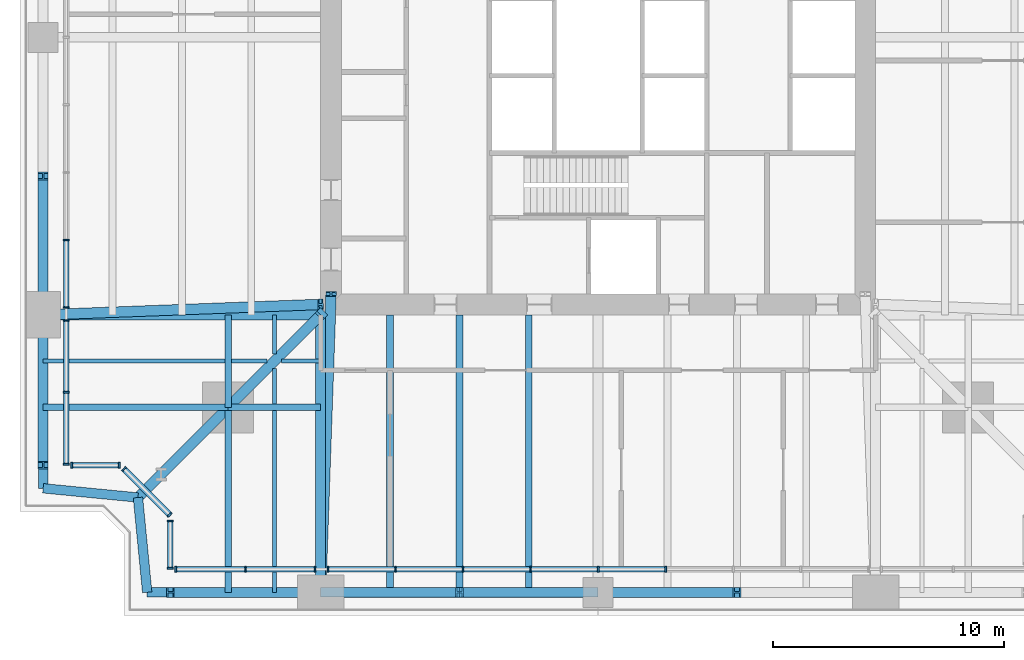
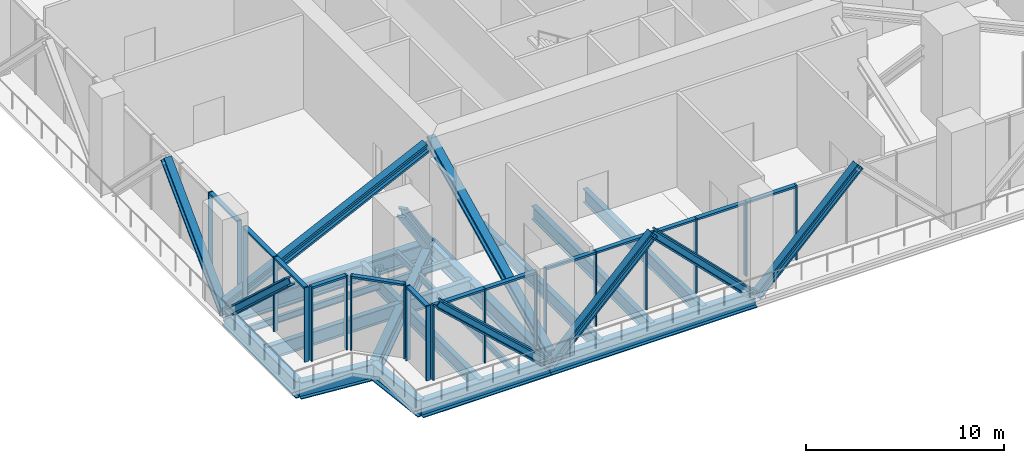
# One storey, part 2 of 14: 42 members, 22 beams, 7 elements without a shape of their own.
"""IFC4 building model written with IfcOpenShell, lengths in metres."""

from ifc_helpers import new_model, si_unit, direction, frame, origin, origin_2d, place, context, subcontext, project, spatial, rectangle, i_section, extrude, material, material_profile, profile_set, type_object, element, aggregate, save


model = new_model("IFC4")

# Units and contexts
model_context = context("Model", 3, precision=1e-05, world=origin(), true_north=direction((0.0, 1.0)))
body_context = subcontext(model_context, "Body", "Model", "MODEL_VIEW")
ifc_project = project(units=[si_unit("LENGTHUNIT", "METRE"), si_unit("AREAUNIT", "SQUARE_METRE"), si_unit("VOLUMEUNIT", "CUBIC_METRE"), si_unit("PLANEANGLEUNIT", "RADIAN"), si_unit("MASSUNIT", "GRAM", prefix="KILO")], contexts=[model_context])

# Site, building, storey
site_placement = place(None, origin())
site = spatial("IfcSite", under=ifc_project, at=site_placement, CompositionType="ELEMENT")
building_placement = place(site_placement, origin())
building = spatial("IfcBuilding", under=site, at=building_placement, Name="Fenwick Lantern Interchange", CompositionType="ELEMENT")
storey_placement = place(building_placement, frame((0.0, 0.0, 162.39990234375)))
storey = spatial("IfcBuildingStorey", under=building, at=storey_placement, Name="L38", CompositionType="ELEMENT", Elevation=162.39990234375)

# Members
ifc_material_1 = material(Name="Steel ASTM A992 Grade 50", Category="steel")
ifc_material_profile_1 = material_profile(ifc_material_1, i_section(OverallWidth=0.431884765625, OverallDepth=0.497802734375, WebThickness=0.0556640625, FlangeThickness=0.0888671875, at=origin_2d()), Name="W14X500")
ifc_profile_set_1 = profile_set([ifc_material_profile_1], Name="Steel ASTM A992 Grade 50")
member_type_1 = type_object("IfcMemberType", Name="BELT TRUSS DIAGONAL W14X500", PredefinedType="BRACE", material=ifc_profile_set_1)
member_1_placement = place(storey_placement, frame((13.0, 1.0, -0.64990234375), z_axis=(-0.734803444627, 0.0, 0.678280102733), x_axis=(0.0, -1.0, 0.0)))
element("IfcMember", 1, at=member_1_placement, inside=storey, type_object=member_type_1, Name="L38/BT/S/D1", PredefinedType="BRACE", context=body_context, shape_type="SweptSolid", body=[
    extrude(i_section(OverallWidth=0.431884765625, OverallDepth=0.497802734375, WebThickness=0.0556640625, FlangeThickness=0.0888671875, at=origin_2d()), origin(), (0.0, 0.0, 1.0), 8.845947265625),
])
for number, where, z_axis, x_axis, name in (
    (2, (13.0, 1.0, -0.64990234375), (0.707106781187, 0.0, 0.707106781187), (0.0, 1.0, 0.0), "L38/BT/S/D2"),
    (3, (25.0, 1.0, -0.64990234375), (-0.707106781187, 0.0, 0.707106781187), (0.0, -1.0, 0.0), "L38/BT/S/D3"),
    (4, (25.0, 1.0, -0.64990234375), (0.707106781187, 0.0, 0.707106781187), (0.0, 1.0, 0.0), "L38/BT/S/D4"),
    (5, (1.0, 13.0, -0.64990234375), (0.0, 0.707106781187, 0.707106781187), (-1.0, 0.0, 0.0), "L38/BT/W/D5"),
):
    element("IfcMember", number, at=place(storey_placement, frame(where, z_axis=z_axis, x_axis=x_axis)), inside=storey, type_object=member_type_1, Name=name, PredefinedType="BRACE", context=body_context, shape_type="SweptSolid", body=[
        extrude(i_section(OverallWidth=0.431884765625, OverallDepth=0.497802734375, WebThickness=0.0556640625, FlangeThickness=0.0888671875, at=origin_2d()), origin(), (0.0, 0.0, 1.0), 8.4853515625),
    ])
member_2_placement = place(storey_placement, frame((1.0, 13.0, -0.64990234375), z_axis=(0.0, -0.734803444627, 0.678280102733), x_axis=(1.0, 0.0, 0.0)))
element("IfcMember", 6, at=member_2_placement, inside=storey, type_object=member_type_1, Name="L38/BT/W/D6", PredefinedType="BRACE", context=body_context, shape_type="SweptSolid", body=[
    extrude(i_section(OverallWidth=0.431884765625, OverallDepth=0.497802734375, WebThickness=0.0556640625, FlangeThickness=0.0888671875, at=origin_2d()), origin(), (0.0, 0.0, 1.0), 8.845947265625),
])

# Beams
ifc_material_profile_2 = material_profile(ifc_material_1, i_section(OverallWidth=0.408935546875, OverallDepth=1.04150390625, WebThickness=0.031005859375, FlangeThickness=0.055908203125, at=origin_2d()), Name="W40X397")
ifc_profile_set_2 = profile_set([ifc_material_profile_2], Name="Steel ASTM A992 Grade 50")
beam_type_1 = type_object("IfcBeamType", Name="EDGE BEAM W40X397", PredefinedType="SPANDREL", material=ifc_profile_set_2)
beam_1_placement = place(storey_placement, frame((5.5, 1.0, -0.720703125), z_axis=(1.0, 0.0, 0.0), x_axis=(0.0, 1.0, 0.0)))
element("IfcBeam", 7, at=beam_1_placement, inside=storey, type_object=beam_type_1, Name="L38/FR/S/EB1", PredefinedType="SPANDREL", context=body_context, shape_type="SweptSolid", body=[
    extrude(i_section(OverallWidth=0.408935546875, OverallDepth=1.04150390625, WebThickness=0.031005859375, FlangeThickness=0.055908203125, at=origin_2d()), origin(), (0.0, 0.0, 1.0), 7.5),
])
beam_2_placement = place(storey_placement, frame((13.0, 1.0, -0.720703125), z_axis=(1.0, 0.0, 0.0), x_axis=(0.0, 1.0, 0.0)))
element("IfcBeam", 8, at=beam_2_placement, inside=storey, type_object=beam_type_1, Name="L38/FR/S/EB2", PredefinedType="SPANDREL", context=body_context, shape_type="SweptSolid", body=[
    extrude(i_section(OverallWidth=0.408935546875, OverallDepth=1.04150390625, WebThickness=0.031005859375, FlangeThickness=0.055908203125, at=origin_2d()), origin(), (0.0, 0.0, 1.0), 12.0),
])
beam_3_placement = place(storey_placement, frame((1.0, 13.0, -0.720703125), z_axis=(0.0, -1.0, 0.0), x_axis=(1.0, 0.0, 0.0)))
element("IfcBeam", 9, at=beam_3_placement, inside=storey, type_object=beam_type_1, Name="L38/FR/W/EB4", PredefinedType="SPANDREL", context=body_context, shape_type="SweptSolid", body=[
    extrude(i_section(OverallWidth=0.408935546875, OverallDepth=1.04150390625, WebThickness=0.031005859375, FlangeThickness=0.055908203125, at=origin_2d()), origin(), (0.0, 0.0, 1.0), 7.5),
])
for number, where, z_axis, x_axis, name in (
    (10, (1.0, 5.5, -0.720703125), (0.995277148028, -0.097074191287, 0.0), (0.097074191287, 0.995277148028, 0.0), "L38/FR/W/EBR1"),
    (11, (5.10009765625, 5.10009765625, -0.720703125), (0.097074191287, -0.995277148028, 0.0), (0.995277148028, 0.097074191287, 0.0), "L38/FR/W/EBR2"),
):
    element("IfcBeam", number, at=place(storey_placement, frame(where, z_axis=z_axis, x_axis=x_axis)), inside=storey, type_object=beam_type_1, Name=name, PredefinedType="SPANDREL", context=body_context, shape_type="SweptSolid", body=[
        extrude(i_section(OverallWidth=0.408935546875, OverallDepth=1.04150390625, WebThickness=0.031005859375, FlangeThickness=0.055908203125, at=origin_2d()), origin(), (0.0, 0.0, 1.0), 4.11962890625),
    ])
ifc_material_profile_3 = material_profile(ifc_material_1, i_section(OverallWidth=0.2919921875, OverallDepth=0.845703125, WebThickness=0.015380859375, FlangeThickness=0.0244140625, at=origin_2d()), Name="W33X141")
ifc_profile_set_3 = profile_set([ifc_material_profile_3], Name="Steel ASTM A992 Grade 50")
beam_type_2 = type_object("IfcBeamType", Name="FLOOR BEAM W33X141", PredefinedType="BEAM", material=ifc_profile_set_3)
for number, where, z_axis, x_axis, name in (
    (12, (16.0, 1.0, -0.622802734375), (0.0, 1.0, 0.0), (-1.0, 0.0, 0.0), "L38/FR/S/R02"),
    (13, (19.0, 1.0, -0.622802734375), (0.0, 1.0, 0.0), (-1.0, 0.0, 0.0), "L38/FR/S/R03"),
    (14, (22.0, 1.0, -0.622802734375), (0.0, 1.0, 0.0), (-1.0, 0.0, 0.0), "L38/FR/S/R04"),
):
    element("IfcBeam", number, at=place(storey_placement, frame(where, z_axis=z_axis, x_axis=x_axis)), inside=storey, type_object=beam_type_2, Name=name, PredefinedType="BEAM", context=body_context, shape_type="SweptSolid", body=[
        extrude(i_section(OverallWidth=0.2919921875, OverallDepth=0.845703125, WebThickness=0.015380859375, FlangeThickness=0.0244140625, at=origin_2d()), origin(), (0.0, 0.0, 1.0), 12.0),
    ])
ifc_material_profile_4 = material_profile(ifc_material_1, i_section(OverallWidth=0.177734375, OverallDepth=0.406494140625, WebThickness=0.0078125, FlangeThickness=0.012939453125, at=origin_2d()), Name="W16X40")
ifc_profile_set_4 = profile_set([ifc_material_profile_4], Name="Steel ASTM A992 Grade 50")
beam_type_3 = type_object("IfcBeamType", Name="INFILL BEAM W16X40", PredefinedType="JOIST", material=ifc_profile_set_4)
beam_4_placement = place(storey_placement, frame((11.0, 1.0, -0.403076171875), z_axis=(0.0, 1.0, 0.0), x_axis=(-1.0, 0.0, 0.0)))
element("IfcBeam", 15, at=beam_4_placement, inside=storey, type_object=beam_type_3, Name="L38/FR/S/J1", PredefinedType="JOIST", context=body_context, shape_type="SweptSolid", body=[
    extrude(i_section(OverallWidth=0.177734375, OverallDepth=0.406494140625, WebThickness=0.0078125, FlangeThickness=0.012939453125, at=origin_2d()), origin(), (0.0, 0.0, 1.0), 7.85400390625),
])
beam_5_placement = place(storey_placement, frame((11.0, 9.14599609375, -0.403076171875), z_axis=(0.0, 1.0, 0.0), x_axis=(-1.0, 0.0, 0.0)))
element("IfcBeam", 16, at=beam_5_placement, inside=storey, type_object=beam_type_3, Name="L38/FR/S/J2", PredefinedType="JOIST", context=body_context, shape_type="SweptSolid", body=[
    extrude(i_section(OverallWidth=0.177734375, OverallDepth=0.406494140625, WebThickness=0.0078125, FlangeThickness=0.012939453125, at=origin_2d()), origin(), (0.0, 0.0, 1.0), 1.537841796875),
])
beam_6_placement = place(storey_placement, frame((11.0, 11.316162109375, -0.403076171875), z_axis=(0.0, 1.0, 0.0), x_axis=(-1.0, 0.0, 0.0)))
element("IfcBeam", 17, at=beam_6_placement, inside=storey, type_object=beam_type_3, Name="L38/FR/S/J6", PredefinedType="JOIST", context=body_context, shape_type="SweptSolid", body=[
    extrude(i_section(OverallWidth=0.177734375, OverallDepth=0.406494140625, WebThickness=0.0078125, FlangeThickness=0.012939453125, at=origin_2d()), origin(), (0.0, 0.0, 1.0), 1.683837890625),
])
beam_7_placement = place(storey_placement, frame((1.0, 11.0, -0.403076171875), z_axis=(1.0, 0.0, 0.0), x_axis=(0.0, 1.0, 0.0)))
element("IfcBeam", 18, at=beam_7_placement, inside=storey, type_object=beam_type_3, Name="L38/FR/S/J3", PredefinedType="JOIST", context=body_context, shape_type="SweptSolid", body=[
    extrude(i_section(OverallWidth=0.177734375, OverallDepth=0.406494140625, WebThickness=0.0078125, FlangeThickness=0.012939453125, at=origin_2d()), origin(), (0.0, 0.0, 1.0), 7.85400390625),
])
beam_8_placement = place(storey_placement, frame((9.14599609375, 11.0, -0.403076171875), z_axis=(1.0, 0.0, 0.0), x_axis=(0.0, 1.0, 0.0)))
element("IfcBeam", 19, at=beam_8_placement, inside=storey, type_object=beam_type_3, Name="L38/FR/S/J4", PredefinedType="JOIST", context=body_context, shape_type="SweptSolid", body=[
    extrude(i_section(OverallWidth=0.177734375, OverallDepth=0.406494140625, WebThickness=0.0078125, FlangeThickness=0.012939453125, at=origin_2d()), origin(), (0.0, 0.0, 1.0), 1.537841796875),
])
beam_9_placement = place(storey_placement, frame((11.316162109375, 11.0, -0.403076171875), z_axis=(1.0, 0.0, 0.0), x_axis=(0.0, 1.0, 0.0)))
element("IfcBeam", 20, at=beam_9_placement, inside=storey, type_object=beam_type_3, Name="L38/FR/S/J5", PredefinedType="JOIST", context=body_context, shape_type="SweptSolid", body=[
    extrude(i_section(OverallWidth=0.177734375, OverallDepth=0.406494140625, WebThickness=0.0078125, FlangeThickness=0.012939453125, at=origin_2d()), origin(), (0.0, 0.0, 1.0), 1.683837890625),
])
ifc_material_profile_5 = material_profile(ifc_material_1, i_section(OverallWidth=0.2919921875, OverallDepth=0.845703125, WebThickness=0.015380859375, FlangeThickness=0.0244140625, at=origin_2d()), Name="W33X141")
ifc_profile_set_5 = profile_set([ifc_material_profile_5], Name="Steel ASTM A992 Grade 50")
beam_type_4 = type_object("IfcBeamType", Name="MEGA COLUMN BEAM W33X141", PredefinedType="BEAM", material=ifc_profile_set_5)
for number, where, z_axis, x_axis, name in (
    (21, (9.0, 9.0, -0.622802734375), (0.0, -1.0, 0.0), (1.0, 0.0, 0.0), "L38/FR/S/MB1"),
    (22, (9.0, 9.0, -0.622802734375), (-1.0, 0.0, 0.0), (0.0, -1.0, 0.0), "L38/FR/S/MB2"),
):
    element("IfcBeam", number, at=place(storey_placement, frame(where, z_axis=z_axis, x_axis=x_axis)), inside=storey, type_object=beam_type_4, Name=name, PredefinedType="BEAM", context=body_context, shape_type="SweptSolid", body=[
        extrude(i_section(OverallWidth=0.2919921875, OverallDepth=0.845703125, WebThickness=0.015380859375, FlangeThickness=0.0244140625, at=origin_2d()), origin(), (0.0, 0.0, 1.0), 8.0),
    ])
for number, where, z_axis, x_axis, name in (
    (23, (9.0, 9.0, -0.622802734375), (1.0, 0.0, 0.0), (0.0, 1.0, 0.0), "L38/FR/S/MB3"),
    (24, (9.0, 9.0, -0.622802734375), (0.0, 1.0, 0.0), (-1.0, 0.0, 0.0), "L38/FR/S/MB4"),
):
    element("IfcBeam", number, at=place(storey_placement, frame(where, z_axis=z_axis, x_axis=x_axis)), inside=storey, type_object=beam_type_4, Name=name, PredefinedType="BEAM", context=body_context, shape_type="SweptSolid", body=[
        extrude(i_section(OverallWidth=0.2919921875, OverallDepth=0.845703125, WebThickness=0.015380859375, FlangeThickness=0.0244140625, at=origin_2d()), origin(), (0.0, 0.0, 1.0), 4.0),
    ])
ifc_material_profile_6 = material_profile(ifc_material_1, i_section(OverallWidth=0.434326171875, OverallDepth=0.9931640625, WebThickness=0.0380859375, FlangeThickness=0.06396484375, at=origin_2d()), Name="W36X487")
ifc_profile_set_6 = profile_set([ifc_material_profile_6], Name="Steel ASTM A992 Grade 50")
beam_type_5 = type_object("IfcBeamType", Name="MOMENT-CONNECTED GIRDER W36X487", PredefinedType="BEAM", material=ifc_profile_set_6)
beam_10_placement = place(storey_placement, frame((13.0, 1.0, -0.696533203125), z_axis=(0.0, 1.0, 0.0), x_axis=(-1.0, 0.0, 0.0)))
element("IfcBeam", 25, at=beam_10_placement, inside=storey, type_object=beam_type_5, Name="L38/FR/S/R01", PredefinedType="BEAM", context=body_context, shape_type="SweptSolid", body=[
    extrude(i_section(OverallWidth=0.434326171875, OverallDepth=0.9931640625, WebThickness=0.0380859375, FlangeThickness=0.06396484375, at=origin_2d()), origin(), (0.0, 0.0, 1.0), 12.0),
])
ifc_material_profile_7 = material_profile(ifc_material_1, i_section(OverallWidth=0.447021484375, OverallDepth=1.0439453125, WebThickness=0.050048828125, FlangeThickness=0.08984375, at=origin_2d()), Name="W36X652")
ifc_profile_set_7 = profile_set([ifc_material_profile_7], Name="Steel ASTM A992 Grade 50")
beam_type_6 = type_object("IfcBeamType", Name="MOMENT-CONNECTED GIRDER W36X652", PredefinedType="BEAM", material=ifc_profile_set_7)
beam_11_placement = place(storey_placement, frame((1.0, 13.0, -0.721923828125), z_axis=(1.0, 0.0, 0.0), x_axis=(0.0, 1.0, 0.0)))
element("IfcBeam", 26, at=beam_11_placement, inside=storey, type_object=beam_type_6, Name="L38/FR/W/R03", PredefinedType="BEAM", context=body_context, shape_type="SweptSolid", body=[
    extrude(i_section(OverallWidth=0.447021484375, OverallDepth=1.0439453125, WebThickness=0.050048828125, FlangeThickness=0.08984375, at=origin_2d()), origin(), (0.0, 0.0, 1.0), 12.0),
])
ifc_material_profile_8 = material_profile(ifc_material_1, i_section(OverallWidth=0.447021484375, OverallDepth=1.0439453125, WebThickness=0.050048828125, FlangeThickness=0.08984375, at=origin_2d()), Name="W36X652")
ifc_profile_set_8 = profile_set([ifc_material_profile_8], Name="Steel ASTM A992 Grade 50")
beam_type_7 = type_object("IfcBeamType", Name="NOTCH BEAM W36X652", PredefinedType="BEAM", material=ifc_profile_set_8)
beam_12_placement = place(storey_placement, frame((9.0, 9.0, -0.721923828125), z_axis=(-0.707106781187, -0.707106781187, 0.0), x_axis=(0.707106781187, -0.707106781187, 0.0)))
element("IfcBeam", 27, at=beam_12_placement, inside=storey, type_object=beam_type_7, Name="L38/FR/S/TG", PredefinedType="BEAM", context=body_context, shape_type="SweptSolid", body=[
    extrude(i_section(OverallWidth=0.447021484375, OverallDepth=1.0439453125, WebThickness=0.050048828125, FlangeThickness=0.08984375, at=origin_2d()), origin(), (0.0, 0.0, 1.0), 5.515380859375),
])
ifc_material_profile_9 = material_profile(ifc_material_1, i_section(OverallWidth=0.447021484375, OverallDepth=1.0439453125, WebThickness=0.050048828125, FlangeThickness=0.08984375, at=origin_2d()), Name="W36X652")
ifc_profile_set_9 = profile_set([ifc_material_profile_9], Name="Steel ASTM A992 Grade 50")
beam_type_8 = type_object("IfcBeamType", Name="OUTRIGGER CHORD W36X652", PredefinedType="BEAM", material=ifc_profile_set_9)
beam_13_placement = place(storey_placement, frame((13.0, 13.0, -0.721923828125), z_axis=(-0.707106781187, -0.707106781187, 0.0), x_axis=(0.707106781187, -0.707106781187, 0.0)))
element("IfcBeam", 28, at=beam_13_placement, inside=storey, type_object=beam_type_8, Name="L38/OR/S/BC", PredefinedType="BEAM", context=body_context, shape_type="SweptSolid", body=[
    extrude(i_section(OverallWidth=0.447021484375, OverallDepth=1.0439453125, WebThickness=0.050048828125, FlangeThickness=0.08984375, at=origin_2d()), origin(), (0.0, 0.0, 1.0), 5.65673828125),
])

# Members
ifc_material_profile_10 = material_profile(ifc_material_1, i_section(OverallWidth=0.45458984375, OverallDepth=0.56884765625, WebThickness=0.077880859375, FlangeThickness=0.124755859375, at=origin_2d()), Name="W14X730")
ifc_profile_set_10 = profile_set([ifc_material_profile_10], Name="Steel ASTM A992 Grade 50")
member_type_2 = type_object("IfcMemberType", Name="OUTRIGGER DIAGONAL W14X730", PredefinedType="BRACE", material=ifc_profile_set_10)
member_3_placement = place(storey_placement, frame((13.0, 13.0, -0.721923828125), z_axis=(-0.485071250073, -0.485071250073, 0.727606875109), x_axis=(0.707106781187, -0.707106781187, 0.0)))
element("IfcMember", 29, at=member_3_placement, inside=storey, type_object=member_type_2, Name="L38/OR/S/D", PredefinedType="BRACE", context=body_context, shape_type="SweptSolid", body=[
    extrude(i_section(OverallWidth=0.45458984375, OverallDepth=0.56884765625, WebThickness=0.077880859375, FlangeThickness=0.124755859375, at=origin_2d()), origin(), (0.0, 0.0, 1.0), 8.24609375),
])
member_4_placement = place(storey_placement, frame((13.0, 1.0, 0.0), z_axis=(0.032243448773, 0.924405505307, 0.380045815356), x_axis=(-0.999392240336, 0.034859001078, 0.0)))
element("IfcMember", 30, at=member_4_placement, inside=storey, type_object=member_type_2, Name="L38/OR/S/W1", PredefinedType="BRACE", context=body_context, shape_type="SweptSolid", body=[
    extrude(i_section(OverallWidth=0.45458984375, OverallDepth=0.56884765625, WebThickness=0.077880859375, FlangeThickness=0.124755859375, at=origin_2d()), origin(), (0.0, 0.0, 1.0), 13.954833984375),
])
member_5_placement = place(storey_placement, frame((1.0, 13.0, 0.0), z_axis=(0.914830425653, 0.034302418507, 0.402378722579), x_axis=(-0.037469600146, 0.999297767968, 0.0)))
element("IfcMember", 31, at=member_5_placement, inside=storey, type_object=member_type_2, Name="L38/OR/W/W2", PredefinedType="BRACE", context=body_context, shape_type="SweptSolid", body=[
    extrude(i_section(OverallWidth=0.45458984375, OverallDepth=0.56884765625, WebThickness=0.077880859375, FlangeThickness=0.124755859375, at=origin_2d()), origin(), (0.0, 0.0, 1.0), 13.1171875),
])

# Curtain wall, members
ifc_material_2 = material(Name="Aluminium curtain wall frame", Category="aluminium")
curtain_wall_type = type_object("IfcCurtainWallType", Name="PLANT LOUVRE SCREEN", PredefinedType="USERDEFINED", material=ifc_material_2)
curtain_wall_1_placement = place(storey_placement, origin())
curtain_wall_1 = element("IfcCurtainWall", 32, at=curtain_wall_1_placement, inside=storey, type_object=curtain_wall_type, Name="Plant louvre screen 12B", ObjectType="PLANT LOUVRE SCREEN", PredefinedType="USERDEFINED")
ifc_material_3 = material(Name="Aluminium extrusion", Category="aluminium")
ifc_material_profile_11 = material_profile(ifc_material_3, rectangle(XDim=0.25, YDim=0.074951171875, at=origin_2d()), Name="PLANT LOUVRE SCREEN MULLION 75 X 250")
ifc_profile_set_11 = profile_set([ifc_material_profile_11], Name="Aluminium extrusion")
member_type_3 = type_object("IfcMemberType", Name="PLANT LOUVRE SCREEN MULLION 75 X 250", PredefinedType="MULLION", material=ifc_profile_set_11)
member_6_placement = place(storey_placement, frame((2.0, 16.23779296875, 0.0), z_axis=(0.0, 0.0, 1.0), x_axis=(1.0, 0.0, 0.0)))
member_6 = element("IfcMember", 33, at=member_6_placement, type_object=member_type_3, Name="L38/CW/12B/M07", PredefinedType="MULLION", context=body_context, shape_type="SweptSolid", body=[
    extrude(rectangle(XDim=0.25, YDim=0.074951171875, at=origin_2d()), origin(), (0.0, 0.0, 1.0), 4.60009765625),
])
member_7_placement = place(storey_placement, frame((2.0, 13.317138671875, 0.0), z_axis=(0.0, 0.0, 1.0), x_axis=(1.0, 0.0, 0.0)))
member_7 = element("IfcMember", 34, at=member_7_placement, type_object=member_type_3, Name="L38/CW/12B/M08", PredefinedType="MULLION", context=body_context, shape_type="SweptSolid", body=[
    extrude(rectangle(XDim=0.25, YDim=0.074951171875, at=origin_2d()), origin(), (0.0, 0.0, 1.0), 4.60009765625),
])

curtain_wall_2_placement = place(storey_placement, origin())
curtain_wall_2 = element("IfcCurtainWall", 35, at=curtain_wall_2_placement, inside=storey, type_object=curtain_wall_type, Name="Plant louvre screen 12C", ObjectType="PLANT LOUVRE SCREEN", PredefinedType="USERDEFINED")
member_8_placement = place(storey_placement, frame((2.0, 12.7578125, 0.0), z_axis=(0.0, 0.0, 1.0), x_axis=(1.0, 0.0, 0.0)))
member_8 = element("IfcMember", 36, at=member_8_placement, type_object=member_type_3, Name="L38/CW/12C/M00", PredefinedType="MULLION", context=body_context, shape_type="SweptSolid", body=[
    extrude(rectangle(XDim=0.25, YDim=0.074951171875, at=origin_2d()), origin(), (0.0, 0.0, 1.0), 4.60009765625),
])
member_9_placement = place(storey_placement, frame((2.0, 9.647705078125, 0.0), z_axis=(0.0, 0.0, 1.0), x_axis=(1.0, 0.0, 0.0)))
member_9 = element("IfcMember", 37, at=member_9_placement, type_object=member_type_3, Name="L38/CW/12C/M01", PredefinedType="MULLION", context=body_context, shape_type="SweptSolid", body=[
    extrude(rectangle(XDim=0.25, YDim=0.074951171875, at=origin_2d()), origin(), (0.0, 0.0, 1.0), 4.60009765625),
])
member_10_placement = place(storey_placement, frame((2.0, 6.53759765625, 0.0), z_axis=(0.0, 0.0, 1.0), x_axis=(1.0, 0.0, 0.0)))
member_10 = element("IfcMember", 38, at=member_10_placement, type_object=member_type_3, Name="L38/CW/12C/M02", PredefinedType="MULLION", context=body_context, shape_type="SweptSolid", body=[
    extrude(rectangle(XDim=0.25, YDim=0.074951171875, at=origin_2d()), origin(), (0.0, 0.0, 1.0), 4.60009765625),
])

curtain_wall_3_placement = place(storey_placement, origin())
curtain_wall_3 = element("IfcCurtainWall", 39, at=curtain_wall_3_placement, inside=storey, type_object=curtain_wall_type, Name="Plant louvre screen 13", ObjectType="PLANT LOUVRE SCREEN", PredefinedType="USERDEFINED")
member_11_placement = place(storey_placement, frame((2.237548828125, 6.5, 0.0), z_axis=(0.0, 0.0, 1.0), x_axis=(0.0, 1.0, 0.0)))
member_11 = element("IfcMember", 40, at=member_11_placement, type_object=member_type_3, Name="L38/CW/13/M00", PredefinedType="MULLION", context=body_context, shape_type="SweptSolid", body=[
    extrude(rectangle(XDim=0.25, YDim=0.074951171875, at=origin_2d()), origin(), (0.0, 0.0, 1.0), 4.60009765625),
])
member_12_placement = place(storey_placement, frame((4.291015625, 6.5, 0.0), z_axis=(0.0, 0.0, 1.0), x_axis=(0.0, 1.0, 0.0)))
member_12 = element("IfcMember", 41, at=member_12_placement, type_object=member_type_3, Name="L38/CW/13/M01", PredefinedType="MULLION", context=body_context, shape_type="SweptSolid", body=[
    extrude(rectangle(XDim=0.25, YDim=0.074951171875, at=origin_2d()), origin(), (0.0, 0.0, 1.0), 4.60009765625),
])

curtain_wall_4_placement = place(storey_placement, origin())
curtain_wall_4 = element("IfcCurtainWall", 42, at=curtain_wall_4_placement, inside=storey, type_object=curtain_wall_type, Name="Plant louvre screen 14", ObjectType="PLANT LOUVRE SCREEN", PredefinedType="USERDEFINED")
member_13_placement = place(storey_placement, frame((4.496337890625, 6.33203125, 0.0), z_axis=(0.0, 0.0, 1.0), x_axis=(0.707106781187, 0.707106781187, 0.0)))
member_13 = element("IfcMember", 43, at=member_13_placement, type_object=member_type_3, Name="L38/CW/14/M00", PredefinedType="MULLION", context=body_context, shape_type="SweptSolid", body=[
    extrude(rectangle(XDim=0.25, YDim=0.074951171875, at=origin_2d()), origin(), (0.0, 0.0, 1.0), 4.60009765625),
])
member_14_placement = place(storey_placement, frame((6.473388671875, 4.35498046875, 0.0), z_axis=(0.0, 0.0, 1.0), x_axis=(0.707106781187, 0.707106781187, 0.0)))
member_14 = element("IfcMember", 44, at=member_14_placement, type_object=member_type_3, Name="L38/CW/14/M01", PredefinedType="MULLION", context=body_context, shape_type="SweptSolid", body=[
    extrude(rectangle(XDim=0.25, YDim=0.074951171875, at=origin_2d()), origin(), (0.0, 0.0, 1.0), 4.60009765625),
])

curtain_wall_5_placement = place(storey_placement, origin())
curtain_wall_5 = element("IfcCurtainWall", 45, at=curtain_wall_5_placement, inside=storey, type_object=curtain_wall_type, Name="Plant louvre screen 15", ObjectType="PLANT LOUVRE SCREEN", PredefinedType="USERDEFINED")
member_15_placement = place(storey_placement, frame((6.5, 4.0908203125, 0.0), z_axis=(0.0, 0.0, 1.0), x_axis=(1.0, 0.0, 0.0)))
member_15 = element("IfcMember", 46, at=member_15_placement, type_object=member_type_3, Name="L38/CW/15/M00", PredefinedType="MULLION", context=body_context, shape_type="SweptSolid", body=[
    extrude(rectangle(XDim=0.25, YDim=0.074951171875, at=origin_2d()), origin(), (0.0, 0.0, 1.0), 4.60009765625),
])
member_16_placement = place(storey_placement, frame((6.5, 2.03759765625, 0.0), z_axis=(0.0, 0.0, 1.0), x_axis=(1.0, 0.0, 0.0)))
member_16 = element("IfcMember", 47, at=member_16_placement, type_object=member_type_3, Name="L38/CW/15/M01", PredefinedType="MULLION", context=body_context, shape_type="SweptSolid", body=[
    extrude(rectangle(XDim=0.25, YDim=0.074951171875, at=origin_2d()), origin(), (0.0, 0.0, 1.0), 4.60009765625),
])

curtain_wall_6_placement = place(storey_placement, origin())
curtain_wall_6 = element("IfcCurtainWall", 48, at=curtain_wall_6_placement, inside=storey, type_object=curtain_wall_type, Name="Plant louvre screen 16A", ObjectType="PLANT LOUVRE SCREEN", PredefinedType="USERDEFINED")
member_17_placement = place(storey_placement, frame((6.737548828125, 2.0, 0.0), z_axis=(0.0, 0.0, 1.0), x_axis=(0.0, 1.0, 0.0)))
member_17 = element("IfcMember", 49, at=member_17_placement, type_object=member_type_3, Name="L38/CW/16A/M00", PredefinedType="MULLION", context=body_context, shape_type="SweptSolid", body=[
    extrude(rectangle(XDim=0.25, YDim=0.074951171875, at=origin_2d()), origin(), (0.0, 0.0, 1.0), 4.60009765625),
])
member_18_placement = place(storey_placement, frame((9.74658203125, 2.0, 0.0), z_axis=(0.0, 0.0, 1.0), x_axis=(0.0, 1.0, 0.0)))
member_18 = element("IfcMember", 50, at=member_18_placement, type_object=member_type_3, Name="L38/CW/16A/M01", PredefinedType="MULLION", context=body_context, shape_type="SweptSolid", body=[
    extrude(rectangle(XDim=0.25, YDim=0.074951171875, at=origin_2d()), origin(), (0.0, 0.0, 1.0), 4.60009765625),
])
member_19_placement = place(storey_placement, frame((12.755615234375, 2.0, 0.0), z_axis=(0.0, 0.0, 1.0), x_axis=(0.0, 1.0, 0.0)))
member_19 = element("IfcMember", 51, at=member_19_placement, type_object=member_type_3, Name="L38/CW/16A/M02", PredefinedType="MULLION", context=body_context, shape_type="SweptSolid", body=[
    extrude(rectangle(XDim=0.25, YDim=0.074951171875, at=origin_2d()), origin(), (0.0, 0.0, 1.0), 4.60009765625),
])

curtain_wall_7_placement = place(storey_placement, origin())
curtain_wall_7 = element("IfcCurtainWall", 52, at=curtain_wall_7_placement, inside=storey, type_object=curtain_wall_type, Name="Plant louvre screen 16B", ObjectType="PLANT LOUVRE SCREEN", PredefinedType="USERDEFINED")
member_20_placement = place(storey_placement, frame((13.314208984375, 2.0, 0.0), z_axis=(0.0, 0.0, 1.0), x_axis=(0.0, 1.0, 0.0)))
member_20 = element("IfcMember", 53, at=member_20_placement, type_object=member_type_3, Name="L38/CW/16B/M00", PredefinedType="MULLION", context=body_context, shape_type="SweptSolid", body=[
    extrude(rectangle(XDim=0.25, YDim=0.074951171875, at=origin_2d()), origin(), (0.0, 0.0, 1.0), 4.60009765625),
])
member_21_placement = place(storey_placement, frame((16.235595703125, 2.0, 0.0), z_axis=(0.0, 0.0, 1.0), x_axis=(0.0, 1.0, 0.0)))
member_21 = element("IfcMember", 54, at=member_21_placement, type_object=member_type_3, Name="L38/CW/16B/M01", PredefinedType="MULLION", context=body_context, shape_type="SweptSolid", body=[
    extrude(rectangle(XDim=0.25, YDim=0.074951171875, at=origin_2d()), origin(), (0.0, 0.0, 1.0), 4.60009765625),
])
member_22_placement = place(storey_placement, frame((19.1572265625, 2.0, 0.0), z_axis=(0.0, 0.0, 1.0), x_axis=(0.0, 1.0, 0.0)))
member_22 = element("IfcMember", 55, at=member_22_placement, type_object=member_type_3, Name="L38/CW/16B/M02", PredefinedType="MULLION", context=body_context, shape_type="SweptSolid", body=[
    extrude(rectangle(XDim=0.25, YDim=0.074951171875, at=origin_2d()), origin(), (0.0, 0.0, 1.0), 4.60009765625),
])
member_23_placement = place(storey_placement, frame((22.07861328125, 2.0, 0.0), z_axis=(0.0, 0.0, 1.0), x_axis=(0.0, 1.0, 0.0)))
member_23 = element("IfcMember", 56, at=member_23_placement, type_object=member_type_3, Name="L38/CW/16B/M03", PredefinedType="MULLION", context=body_context, shape_type="SweptSolid", body=[
    extrude(rectangle(XDim=0.25, YDim=0.074951171875, at=origin_2d()), origin(), (0.0, 0.0, 1.0), 4.60009765625),
])
member_24_placement = place(storey_placement, frame((25.0, 2.0, 0.0), z_axis=(0.0, 0.0, 1.0), x_axis=(0.0, 1.0, 0.0)))
member_24 = element("IfcMember", 57, at=member_24_placement, type_object=member_type_3, Name="L38/CW/16B/M04", PredefinedType="MULLION", context=body_context, shape_type="SweptSolid", body=[
    extrude(rectangle(XDim=0.25, YDim=0.074951171875, at=origin_2d()), origin(), (0.0, 0.0, 1.0), 4.60009765625),
])
member_25_placement = place(storey_placement, frame((27.92138671875, 2.0, 0.0), z_axis=(0.0, 0.0, 1.0), x_axis=(0.0, 1.0, 0.0)))
member_25 = element("IfcMember", 58, at=member_25_placement, type_object=member_type_3, Name="L38/CW/16B/M05", PredefinedType="MULLION", context=body_context, shape_type="SweptSolid", body=[
    extrude(rectangle(XDim=0.25, YDim=0.074951171875, at=origin_2d()), origin(), (0.0, 0.0, 1.0), 4.60009765625),
])

# Member
ifc_material_profile_12 = material_profile(ifc_material_3, rectangle(XDim=0.25, YDim=0.1201171875, at=origin_2d()), Name="PLANT LOUVRE SCREEN TRANSOM 120 X 250")
ifc_profile_set_12 = profile_set([ifc_material_profile_12], Name="Aluminium extrusion")
member_type_4 = type_object("IfcMemberType", Name="PLANT LOUVRE SCREEN TRANSOM 120 X 250", PredefinedType="MULLION", material=ifc_profile_set_12)
member_26_placement = place(storey_placement, frame((2.0, 16.200439453125, 4.5400390625), z_axis=(0.0, -1.0, 0.0), x_axis=(1.0, 0.0, 0.0)))
member_26 = element("IfcMember", 59, at=member_26_placement, type_object=member_type_4, Name="L38/CW/12B/T07", PredefinedType="MULLION", context=body_context, shape_type="SweptSolid", body=[
    extrude(rectangle(XDim=0.25, YDim=0.1201171875, at=origin_2d()), origin(), (0.0, 0.0, 1.0), 2.845703125),
])

aggregate(curtain_wall_1, [member_6, member_7, member_26])

member_27_placement = place(storey_placement, frame((2.0, 12.72021484375, 4.5400390625), z_axis=(0.0, -1.0, 0.0), x_axis=(1.0, 0.0, 0.0)))
member_27 = element("IfcMember", 60, at=member_27_placement, type_object=member_type_4, Name="L38/CW/12C/T00", PredefinedType="MULLION", context=body_context, shape_type="SweptSolid", body=[
    extrude(rectangle(XDim=0.25, YDim=0.1201171875, at=origin_2d()), origin(), (0.0, 0.0, 1.0), 3.03515625),
])

member_28_placement = place(storey_placement, frame((2.0, 9.610107421875, 4.5400390625), z_axis=(0.0, -1.0, 0.0), x_axis=(1.0, 0.0, 0.0)))
member_28 = element("IfcMember", 61, at=member_28_placement, type_object=member_type_4, Name="L38/CW/12C/T01", PredefinedType="MULLION", context=body_context, shape_type="SweptSolid", body=[
    extrude(rectangle(XDim=0.25, YDim=0.1201171875, at=origin_2d()), origin(), (0.0, 0.0, 1.0), 3.03515625),
])

aggregate(curtain_wall_2, [member_8, member_9, member_10, member_27, member_28])

member_29_placement = place(storey_placement, frame((2.27490234375, 6.5, 4.5400390625), z_axis=(1.0, 0.0, 0.0), x_axis=(0.0, 1.0, 0.0)))
member_29 = element("IfcMember", 62, at=member_29_placement, type_object=member_type_4, Name="L38/CW/13/T00", PredefinedType="MULLION", context=body_context, shape_type="SweptSolid", body=[
    extrude(rectangle(XDim=0.25, YDim=0.1201171875, at=origin_2d()), origin(), (0.0, 0.0, 1.0), 1.978515625),
])

aggregate(curtain_wall_3, [member_11, member_12, member_29])

member_30_placement = place(storey_placement, frame((4.52294921875, 6.3056640625, 4.5400390625), z_axis=(0.707061921121, -0.707151638406, 0.0), x_axis=(0.707151638406, 0.707061921121, 0.0)))
member_30 = element("IfcMember", 63, at=member_30_placement, type_object=member_type_4, Name="L38/CW/14/T00", PredefinedType="MULLION", context=body_context, shape_type="SweptSolid", body=[
    extrude(rectangle(XDim=0.25, YDim=0.1201171875, at=origin_2d()), origin(), (0.0, 0.0, 1.0), 2.72119140625),
])

aggregate(curtain_wall_4, [member_13, member_14, member_30])

member_31_placement = place(storey_placement, frame((6.5, 4.053466796875, 4.5400390625), z_axis=(0.0, -1.0, 0.0), x_axis=(1.0, 0.0, 0.0)))
member_31 = element("IfcMember", 64, at=member_31_placement, type_object=member_type_4, Name="L38/CW/15/T00", PredefinedType="MULLION", context=body_context, shape_type="SweptSolid", body=[
    extrude(rectangle(XDim=0.25, YDim=0.1201171875, at=origin_2d()), origin(), (0.0, 0.0, 1.0), 1.978515625),
])

aggregate(curtain_wall_5, [member_15, member_16, member_31])

member_32_placement = place(storey_placement, frame((6.77490234375, 2.0, 4.5400390625), z_axis=(1.0, 0.0, 0.0), x_axis=(0.0, 1.0, 0.0)))
member_32 = element("IfcMember", 65, at=member_32_placement, type_object=member_type_4, Name="L38/CW/16A/T00", PredefinedType="MULLION", context=body_context, shape_type="SweptSolid", body=[
    extrude(rectangle(XDim=0.25, YDim=0.1201171875, at=origin_2d()), origin(), (0.0, 0.0, 1.0), 2.93408203125),
])

member_33_placement = place(storey_placement, frame((9.783935546875, 2.0, 4.5400390625), z_axis=(1.0, 0.0, 0.0), x_axis=(0.0, 1.0, 0.0)))
member_33 = element("IfcMember", 66, at=member_33_placement, type_object=member_type_4, Name="L38/CW/16A/T01", PredefinedType="MULLION", context=body_context, shape_type="SweptSolid", body=[
    extrude(rectangle(XDim=0.25, YDim=0.1201171875, at=origin_2d()), origin(), (0.0, 0.0, 1.0), 2.93408203125),
])

aggregate(curtain_wall_6, [member_17, member_18, member_19, member_32, member_33])

member_34_placement = place(storey_placement, frame((13.351806640625, 2.0, 4.5400390625), z_axis=(1.0, 0.0, 0.0), x_axis=(0.0, 1.0, 0.0)))
member_34 = element("IfcMember", 67, at=member_34_placement, type_object=member_type_4, Name="L38/CW/16B/T00", PredefinedType="MULLION", context=body_context, shape_type="SweptSolid", body=[
    extrude(rectangle(XDim=0.25, YDim=0.1201171875, at=origin_2d()), origin(), (0.0, 0.0, 1.0), 2.846435546875),
])

member_35_placement = place(storey_placement, frame((16.273193359375, 2.0, 4.5400390625), z_axis=(1.0, 0.0, 0.0), x_axis=(0.0, 1.0, 0.0)))
member_35 = element("IfcMember", 68, at=member_35_placement, type_object=member_type_4, Name="L38/CW/16B/T01", PredefinedType="MULLION", context=body_context, shape_type="SweptSolid", body=[
    extrude(rectangle(XDim=0.25, YDim=0.1201171875, at=origin_2d()), origin(), (0.0, 0.0, 1.0), 2.846435546875),
])

member_36_placement = place(storey_placement, frame((19.194580078125, 2.0, 4.5400390625), z_axis=(1.0, 0.0, 0.0), x_axis=(0.0, 1.0, 0.0)))
member_36 = element("IfcMember", 69, at=member_36_placement, type_object=member_type_4, Name="L38/CW/16B/T02", PredefinedType="MULLION", context=body_context, shape_type="SweptSolid", body=[
    extrude(rectangle(XDim=0.25, YDim=0.1201171875, at=origin_2d()), origin(), (0.0, 0.0, 1.0), 2.846435546875),
])

member_37_placement = place(storey_placement, frame((22.115966796875, 2.0, 4.5400390625), z_axis=(1.0, 0.0, 0.0), x_axis=(0.0, 1.0, 0.0)))
member_37 = element("IfcMember", 70, at=member_37_placement, type_object=member_type_4, Name="L38/CW/16B/T03", PredefinedType="MULLION", context=body_context, shape_type="SweptSolid", body=[
    extrude(rectangle(XDim=0.25, YDim=0.1201171875, at=origin_2d()), origin(), (0.0, 0.0, 1.0), 2.846435546875),
])

member_38_placement = place(storey_placement, frame((25.03759765625, 2.0, 4.5400390625), z_axis=(1.0, 0.0, 0.0), x_axis=(0.0, 1.0, 0.0)))
member_38 = element("IfcMember", 71, at=member_38_placement, type_object=member_type_4, Name="L38/CW/16B/T04", PredefinedType="MULLION", context=body_context, shape_type="SweptSolid", body=[
    extrude(rectangle(XDim=0.25, YDim=0.1201171875, at=origin_2d()), origin(), (0.0, 0.0, 1.0), 2.846435546875),
])

aggregate(curtain_wall_7, [member_20, member_21, member_22, member_23, member_24, member_25, member_34, member_35, member_36, member_37, member_38])

save(model, "model.ifc")
